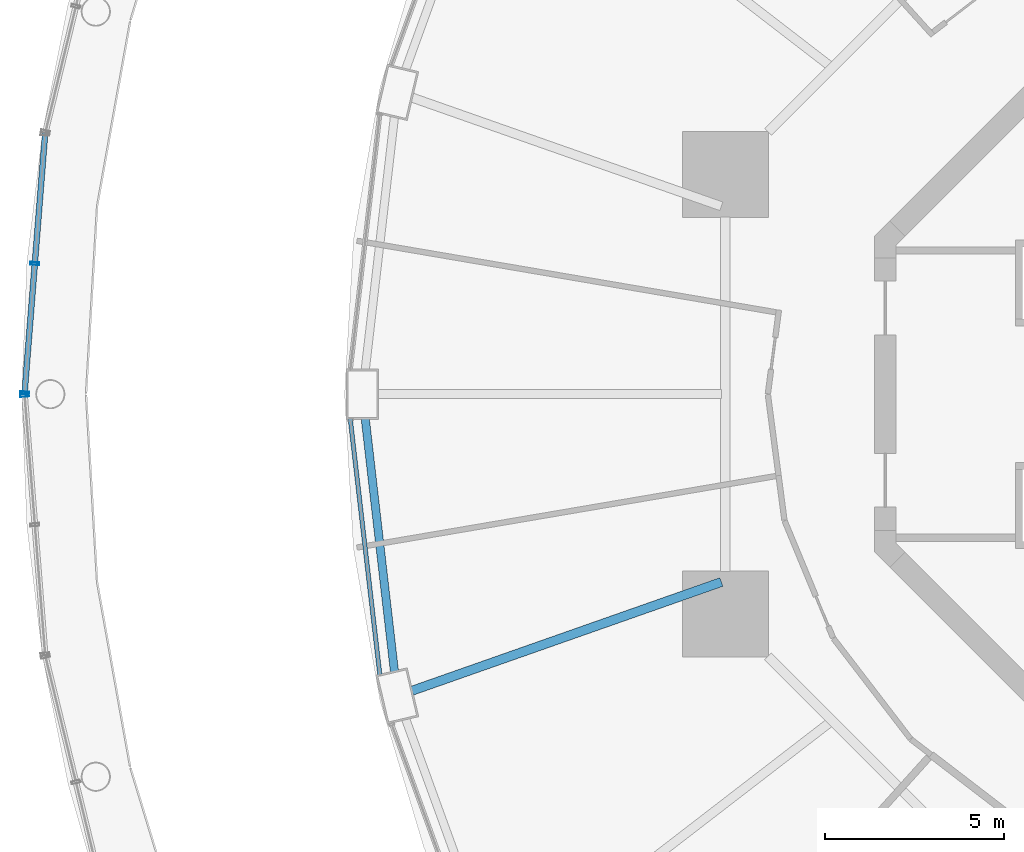
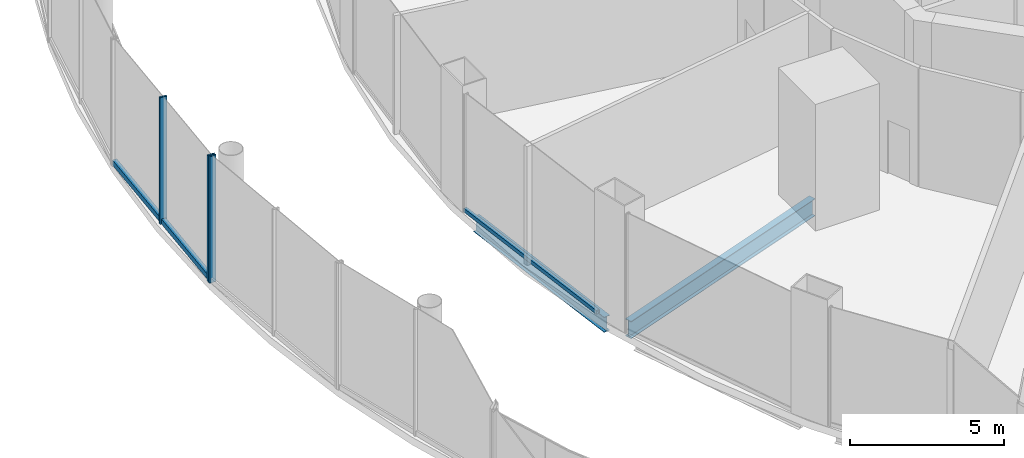
# One storey, part 17 of 47: 5 members, 2 beams, 3 elements without a shape of their own.
"""IFC4 building model written with IfcOpenShell, lengths in metres."""

import ifcopenshell
import ifcopenshell.guid

model = None  # the IFC model being written
_history = None  # IfcOwnerHistory: only IFC2X3 demands one
_inside = {}  # id of a spatial element -> (the spatial element, [elements in it])
_under = {}  # id of a project, library or spatial element -> (it, [spatial elements below it])
_declared = {}  # id of a project -> (the project, [libraries it declares])
_typed = {}  # id of a type object -> (the type object, [elements of that type])
_made_of = {}  # id of a material, layer set ... -> (it, [elements and type objects made of it])


def new_model(schema):
    """Start an empty IFC model of exactly this schema.

    Asked for "IFC4X3", IfcOpenShell would pick the latest addendum, in which some entities
    have other attributes; the version numbers below select the first issue.
    IFC2X3 requires an IfcOwnerHistory on every rooted entity: one is made here for all.
    """
    global model, _history
    if schema == "IFC4X3":
        model = ifcopenshell.file(schema_version=(4, 3, 0, 0))
    else:
        model = ifcopenshell.file(schema=schema)
    _inside.clear()
    _under.clear()
    _declared.clear()
    _typed.clear()
    _made_of.clear()
    _history = None
    if model.schema == "IFC2X3":
        org = make("IfcOrganization", Name="unknown")
        user = make(
            "IfcPersonAndOrganization",
            ThePerson=make("IfcPerson", FamilyName="unknown"),
            TheOrganization=org,
        )
        app = make(
            "IfcApplication",
            ApplicationDeveloper=org,
            Version="unknown",
            ApplicationFullName="unknown",
            ApplicationIdentifier="unknown",
        )
        _history = make(
            "IfcOwnerHistory",
            OwningUser=user,
            OwningApplication=app,
            ChangeAction="ADDED",
            CreationDate=0,
        )
    return model


def make(cls, **values):
    """One entity of the class cls with the attributes given. An attribute that is None is left unset."""
    return model.create_entity(
        cls, **{name: value for name, value in values.items() if value is not None}
    )


def rooted(cls, **values):
    """An entity with a GlobalId (a new one), such as an element, a storey or a relation."""
    return make(cls, GlobalId=ifcopenshell.guid.new(), OwnerHistory=_history, **values)


def si_unit(unit_type, name, prefix=None):
    """IfcSIUnit, for example si_unit("LENGTHUNIT", "METRE", prefix="MILLI")."""
    return make("IfcSIUnit", UnitType=unit_type, Prefix=prefix, Name=name)


def assignment(units):
    """IfcUnitAssignment: the units of a project."""
    return None if units is None else make("IfcUnitAssignment", Units=units)


def point(xyz):
    """IfcCartesianPoint."""
    return None if xyz is None else make("IfcCartesianPoint", Coordinates=xyz)


def direction(xyz):
    """IfcDirection."""
    return None if xyz is None else make("IfcDirection", DirectionRatios=xyz)


def frame(location, z_axis=None, x_axis=None):
    """IfcAxis2Placement3D, a coordinate frame: its origin and axes. An axis left out is left unset."""
    return make(
        "IfcAxis2Placement3D",
        Location=point(location),
        Axis=direction(z_axis),
        RefDirection=direction(x_axis),
    )


def frame_2d(location, x_axis=None):
    """IfcAxis2Placement2D, a coordinate frame in the plane: its origin and x axis."""
    return make(
        "IfcAxis2Placement2D", Location=point(location), RefDirection=direction(x_axis)
    )


def origin():
    """The frame at (0, 0, 0) with its axes left unset."""
    return frame((0.0, 0.0, 0.0))


def origin_2d():
    """The frame at (0, 0) in the plane with its x axis left unset."""
    return frame_2d((0.0, 0.0))


def place(relative_to, where):
    """IfcLocalPlacement: puts the frame where relative to a parent placement (None: the world)."""
    return make(
        "IfcLocalPlacement", PlacementRelTo=relative_to, RelativePlacement=where
    )


def context(
    kind, dimensions, precision=None, world=None, true_north=None, identifier=None
):
    """IfcGeometricRepresentationContext, for example the 3D "Model" context."""
    return make(
        "IfcGeometricRepresentationContext",
        ContextIdentifier=identifier,
        ContextType=kind,
        CoordinateSpaceDimension=dimensions,
        Precision=precision,
        WorldCoordinateSystem=world,
        TrueNorth=true_north,
    )


def subcontext(parent, identifier, kind, view, scale=None):
    """IfcGeometricRepresentationSubContext, for example "Body" below "Model"."""
    return make(
        "IfcGeometricRepresentationSubContext",
        ContextIdentifier=identifier,
        ContextType=kind,
        ParentContext=parent,
        TargetScale=scale,
        TargetView=view,
    )


def project(units=None, contexts=None):
    """IfcProject with its units and contexts."""
    return rooted(
        "IfcProject",
        Name="project",
        RepresentationContexts=contexts,
        UnitsInContext=assignment(units),
    )


def spatial(cls, under=None, at=None, **own):
    """A site, building, storey or space (cls), placed at a placement, below another one or the project."""
    s = rooted(cls, ObjectPlacement=at, **own)
    if under is not None:
        _under.setdefault(under.id(), (under, []))[1].append(s)
    return s


def profile(cls, at=None, kind="AREA", **sizes):
    """A parametric profile (cls). Its sizes go by their IFC names, for example OverallWidth=200.0."""
    return make(cls, ProfileType=kind, Position=at, **sizes)


def hollow_rectangle(**sizes):
    """IfcRectangleHollowProfileDef."""
    return profile("IfcRectangleHollowProfileDef", **sizes)


def i_section(**sizes):
    """IfcIShapeProfileDef."""
    return profile("IfcIShapeProfileDef", **sizes)


def extrude(swept, where, along, depth):
    """IfcExtrudedAreaSolid: the profile swept, set in the frame where, extruded along a direction by depth."""
    return make(
        "IfcExtrudedAreaSolid",
        SweptArea=swept,
        Position=where,
        ExtrudedDirection=direction(along),
        Depth=depth,
    )


def shape(context_of_items, identifier, shape_type, items):
    """IfcShapeRepresentation: the items that make up one representation, for example the "Body"."""
    return make(
        "IfcShapeRepresentation",
        ContextOfItems=context_of_items,
        RepresentationIdentifier=identifier,
        RepresentationType=shape_type,
        Items=items,
    )


def material(Name=None, Category=None):
    """IfcMaterial."""
    return make("IfcMaterial", Name=Name, Category=Category)


def layer(
    of_material, thickness, ventilated=None, Name=None, Category=None, Priority=None
):
    """IfcMaterialLayer: one layer of a wall or slab, of a material (None: an air gap)."""
    return make(
        "IfcMaterialLayer",
        Material=of_material,
        LayerThickness=thickness,
        IsVentilated=ventilated,
        Name=Name,
        Category=Category,
        Priority=Priority,
    )


def layer_set(layers, Name=None):
    """IfcMaterialLayerSet."""
    return make("IfcMaterialLayerSet", MaterialLayers=layers, LayerSetName=Name)


def material_profile(
    of_material, cross_section, Name=None, Category=None, Priority=None
):
    """IfcMaterialProfile: a cross section and its material."""
    return make(
        "IfcMaterialProfile",
        Name=Name,
        Material=of_material,
        Profile=cross_section,
        Priority=Priority,
        Category=Category,
    )


def profile_set(profiles, Name=None, composite=None):
    """IfcMaterialProfileSet."""
    return make(
        "IfcMaterialProfileSet",
        Name=Name,
        MaterialProfiles=profiles,
        CompositeProfile=composite,
    )


def made_of(thing, what):
    """Note that an element or type object is made of a material, layer set ...; save() writes the relation."""
    if what is not None:
        _made_of.setdefault(what.id(), (what, []))[1].append(thing)
    return thing


def type_object(cls, material=None, **own):
    """A type object (cls), such as IfcWallType, which elements share."""
    return made_of(rooted(cls, **own), material)


def element(
    cls,
    number,
    at=None,
    inside=None,
    cuts=None,
    type_object=None,
    material=None,
    context=None,
    identifier="Body",
    shape_type=None,
    held_by="IfcProductDefinitionShape",
    body=None,
    shapes=None,
    **own,
):
    """One element of the class cls, such as IfcWall. Its Tag is "e" and its number.

    at: its placement. inside: the storey or other place that contains it. cuts: it is an
    opening in that element (IfcRelVoidsElement). A single representation is given by context,
    identifier, shape_type and body (its items); several are given by shapes. held_by: the class
    of the entity that holds the representations. save() writes the other relations.
    """
    e = rooted(cls, Tag="e%d" % number, ObjectPlacement=at, **own)
    if body is not None:
        shapes = [shape(context, identifier, shape_type, body)]
    if shapes is not None:
        e.Representation = make(held_by, Representations=shapes)
    if inside is not None:
        _inside.setdefault(inside.id(), (inside, []))[1].append(e)
    if cuts is not None:
        rooted(
            "IfcRelVoidsElement", RelatingBuildingElement=cuts, RelatedOpeningElement=e
        )
    if type_object is not None:
        _typed.setdefault(type_object.id(), (type_object, []))[1].append(e)
    return made_of(e, material)


def aggregate(whole, parts):
    """IfcRelAggregates: a whole, such as a stair, and the parts it consists of."""
    return rooted("IfcRelAggregates", RelatingObject=whole, RelatedObjects=parts)


def save(model, path):
    """Write the relations noted so far, then the file.

    IfcRelAggregates (storeys below a building ...), IfcRelContainedInSpatialStructure (elements
    in a storey), IfcRelDefinesByType, IfcRelAssociatesMaterial and IfcRelDeclares: one each for
    every whole, place, type object, material and project.
    """
    for whole, parts in _under.values():
        aggregate(whole, parts)
    for where, things in _inside.values():
        rooted(
            "IfcRelContainedInSpatialStructure",
            RelatedElements=things,
            RelatingStructure=where,
        )
    for kind, things in _typed.values():
        rooted("IfcRelDefinesByType", RelatedObjects=things, RelatingType=kind)
    for what, things in _made_of.values():
        rooted("IfcRelAssociatesMaterial", RelatedObjects=things, RelatingMaterial=what)
    for by, libraries in _declared.values():
        rooted("IfcRelDeclares", RelatingContext=by, RelatedDefinitions=libraries)
    model.write(path)


model = new_model("IFC4")

# Units and contexts
model_context = context("Model", 3, precision=1e-05, world=origin(), true_north=direction((0.0, 1.0)))
body_context = subcontext(model_context, "Body", "Model", "MODEL_VIEW")
ifc_project = project(units=[si_unit("LENGTHUNIT", "METRE"), si_unit("AREAUNIT", "SQUARE_METRE"), si_unit("VOLUMEUNIT", "CUBIC_METRE"), si_unit("PLANEANGLEUNIT", "RADIAN"), si_unit("MASSUNIT", "GRAM", prefix="KILO")], contexts=[model_context])

# Site, building, storey
site_placement = place(None, origin())
site = spatial("IfcSite", under=ifc_project, at=site_placement, CompositionType="ELEMENT")
building_placement = place(site_placement, origin())
building = spatial("IfcBuilding", under=site, at=building_placement, Name="Nagisa Residences", CompositionType="ELEMENT")
storey_placement = place(building_placement, frame((0.0, 0.0, 17.0)))
storey = spatial("IfcBuildingStorey", under=building, at=storey_placement, Name="L03", CompositionType="ELEMENT", Elevation=17.0)

# Curtain wall, members
ifc_material_1 = material(Name="Stainless steel curtain wall system", Category="steel")
ifc_layer_1 = layer(ifc_material_1, 0.159912109375)
ifc_layer_set_1 = layer_set([ifc_layer_1], Name="CW3 CURTAIN WALL")
curtain_wall_type_1 = type_object("IfcCurtainWallType", Name="CW3 CURTAIN WALL", PredefinedType="NOTDEFINED", material=ifc_layer_set_1)
curtain_wall_1_placement = place(storey_placement, origin())
curtain_wall_1 = element("IfcCurtainWall", 1, at=curtain_wall_1_placement, inside=storey, type_object=curtain_wall_type_1, Name="cw:CW3:L03:17", PredefinedType="NOTDEFINED")
ifc_material_2 = material(Name="Stainless steel", Category="steel")
ifc_material_profile_1 = material_profile(ifc_material_2, hollow_rectangle(XDim=0.25, YDim=0.080078125, WallThickness=0.008056640625, at=origin_2d()), Name="CW3 MULLION 250x80")
ifc_profile_set_1 = profile_set([ifc_material_profile_1], Name="Stainless steel")
member_type_1 = type_object("IfcMemberType", Name="CW3 MULLION 250x80", PredefinedType="MULLION", material=ifc_profile_set_1)
member_1_placement = place(storey_placement, frame((-34.031494140625, 3.640380859375, 0.0), z_axis=(0.0, 0.0, 1.0), x_axis=(0.996881777235, -0.078909582539, 0.0)))
member_1 = element("IfcMember", 2, at=member_1_placement, type_object=member_type_1, Name="CW3 mullion", PredefinedType="MULLION", context=body_context, shape_type="SweptSolid", body=[
    extrude(hollow_rectangle(XDim=0.25, YDim=0.080078125, WallThickness=0.008056640625, at=origin_2d()), origin(), (0.0, 0.0, 1.0), 5.0),
])
member_2_placement = place(storey_placement, frame((-34.317138671875, 0.033447265625, 0.0), z_axis=(0.0, 0.0, 1.0), x_axis=(0.996881777235, -0.078909582539, 0.0)))
member_2 = element("IfcMember", 3, at=member_2_placement, type_object=member_type_1, Name="CW3 mullion", PredefinedType="MULLION", context=body_context, shape_type="SweptSolid", body=[
    extrude(hollow_rectangle(XDim=0.25, YDim=0.080078125, WallThickness=0.008056640625, at=origin_2d()), origin(), (0.0, 0.0, 1.0), 5.0),
])

# Curtain wall, member
curtain_wall_2_placement = place(storey_placement, origin())
curtain_wall_2 = element("IfcCurtainWall", 4, at=curtain_wall_2_placement, inside=storey, type_object=curtain_wall_type_1, Name="cw:CW3:L03:18", PredefinedType="NOTDEFINED")
member_3_placement = place(storey_placement, frame((-34.317138671875, -0.033447265625, 0.0), z_axis=(0.0, 0.0, 1.0), x_axis=(0.996881777235, 0.078909582539, 0.0)))
member_3 = element("IfcMember", 5, at=member_3_placement, type_object=member_type_1, Name="CW3 mullion", PredefinedType="MULLION", context=body_context, shape_type="SweptSolid", body=[
    extrude(hollow_rectangle(XDim=0.25, YDim=0.080078125, WallThickness=0.008056640625, at=origin_2d()), origin(), (0.0, 0.0, 1.0), 5.0),
])
aggregate(curtain_wall_2, [member_3])

# Member
ifc_material_3 = material(Name="Stainless steel", Category="steel")
ifc_material_profile_2 = material_profile(ifc_material_3, hollow_rectangle(XDim=0.159912109375, YDim=0.199951171875, WallThickness=0.008056640625, at=origin_2d()), Name="CW3 TRANSOM 160x200")
ifc_profile_set_2 = profile_set([ifc_material_profile_2], Name="Stainless steel")
member_type_2 = type_object("IfcMemberType", Name="CW3 TRANSOM 160x200", PredefinedType="USERDEFINED", material=ifc_profile_set_2)
member_4_placement = place(storey_placement, frame((-33.742919921875, 7.286865234375, 0.10009765625), z_axis=(-0.078921540002, -0.996880830653, 0.0), x_axis=(0.996880830653, -0.078921540002, 0.0)))
member_4 = element("IfcMember", 6, at=member_4_placement, type_object=member_type_2, Name="CW3 transom", ObjectType="TRANSOM", PredefinedType="USERDEFINED", context=body_context, shape_type="SweptSolid", body=[
    extrude(hollow_rectangle(XDim=0.159912109375, YDim=0.199951171875, WallThickness=0.008056640625, at=origin_2d()), origin(), (0.0, 0.0, 1.0), 7.31591796875),
])

aggregate(curtain_wall_1, [member_1, member_2, member_4])

# Curtain wall, member
ifc_material_4 = material(Name="Stainless steel curtain wall system", Category="steel")
ifc_layer_2 = layer(ifc_material_4, 0.159912109375)
ifc_layer_set_2 = layer_set([ifc_layer_2], Name="CW6 CURTAIN WALL")
curtain_wall_type_2 = type_object("IfcCurtainWallType", Name="CW6 CURTAIN WALL", PredefinedType="NOTDEFINED", material=ifc_layer_set_2)
curtain_wall_3_placement = place(storey_placement, origin())
curtain_wall_3 = element("IfcCurtainWall", 7, at=curtain_wall_3_placement, inside=storey, type_object=curtain_wall_type_2, Name="cw:CW6:L03:24", PredefinedType="NOTDEFINED")
ifc_material_5 = material(Name="Stainless steel", Category="steel")
ifc_material_profile_3 = material_profile(ifc_material_5, hollow_rectangle(XDim=0.1201171875, YDim=0.14990234375, WallThickness=0.008056640625, at=origin_2d()), Name="CW6 TRANSOM 120x150")
ifc_profile_set_3 = profile_set([ifc_material_profile_3], Name="Stainless steel")
member_type_3 = type_object("IfcMemberType", Name="CW6 TRANSOM 120x150", PredefinedType="USERDEFINED", material=ifc_profile_set_3)
member_5_placement = place(storey_placement, frame((-25.239990234375, -0.686279296875, 0.074951171875), z_axis=(0.114916347997, -0.993375172311, 0.0), x_axis=(0.993375172311, 0.114916347997, 0.0)))
member_5 = element("IfcMember", 8, at=member_5_placement, type_object=member_type_3, Name="CW6 transom", ObjectType="TRANSOM", PredefinedType="USERDEFINED", context=body_context, shape_type="SweptSolid", body=[
    extrude(hollow_rectangle(XDim=0.1201171875, YDim=0.14990234375, WallThickness=0.008056640625, at=origin_2d()), origin(), (0.0, 0.0, 1.0), 7.19775390625),
])
aggregate(curtain_wall_3, [member_5])

# Beams
ifc_material_6 = material(Name="Steel ASTM A572 Gr 50", Category="steel")
ifc_material_profile_4 = material_profile(ifc_material_6, i_section(OverallWidth=0.22802734375, OverallDepth=0.60302734375, WebThickness=0.010498046875, FlangeThickness=0.014892578125, at=origin_2d()), Name="W610x101")
ifc_profile_set_4 = profile_set([ifc_material_profile_4], Name="Steel ASTM A572 Gr 50")
beam_type_1 = type_object("IfcBeamType", Name="Perimeter ring beam W610x101", PredefinedType="BEAM", material=ifc_profile_set_4)
beam_1_placement = place(storey_placement, frame((-24.821533203125, -0.68017578125, -0.6015625), z_axis=(0.114707660057, -0.993399291687, 0.0), x_axis=(0.993399291687, 0.114707660057, 0.0)))
element("IfcBeam", 9, at=beam_1_placement, inside=storey, type_object=beam_type_1, Name="beam:L03:pb13", PredefinedType="BEAM", context=body_context, shape_type="SweptSolid", body=[
    extrude(i_section(OverallWidth=0.22802734375, OverallDepth=0.60302734375, WebThickness=0.010498046875, FlangeThickness=0.014892578125, at=origin_2d()), origin(), (0.0, 0.0, 1.0), 7.09814453125),
])
ifc_material_7 = material(Name="Steel ASTM A572 Gr 50", Category="steel")
ifc_material_profile_5 = material_profile(ifc_material_7, i_section(OverallWidth=0.25390625, OverallDepth=0.68408203125, WebThickness=0.012451171875, FlangeThickness=0.018798828125, at=origin_2d()), Name="W690x140")
ifc_profile_set_5 = profile_set([ifc_material_profile_5], Name="Steel ASTM A572 Gr 50")
beam_type_2 = type_object("IfcBeamType", Name="Radial beam W690x140", PredefinedType="BEAM", material=ifc_profile_set_5)
beam_2_placement = place(storey_placement, frame((-23.520751953125, -8.26806640625, -0.64208984375), z_axis=(0.943414535235, 0.331615763659, 0.0), x_axis=(-0.331615763659, 0.943414535235, 0.0)))
element("IfcBeam", 10, at=beam_2_placement, inside=storey, type_object=beam_type_2, Name="beam:L03:rb14", PredefinedType="BEAM", context=body_context, shape_type="SweptSolid", body=[
    extrude(i_section(OverallWidth=0.25390625, OverallDepth=0.68408203125, WebThickness=0.012451171875, FlangeThickness=0.018798828125, at=origin_2d()), origin(), (0.0, 0.0, 1.0), 9.142333984375),
])

save(model, "model.ifc")
